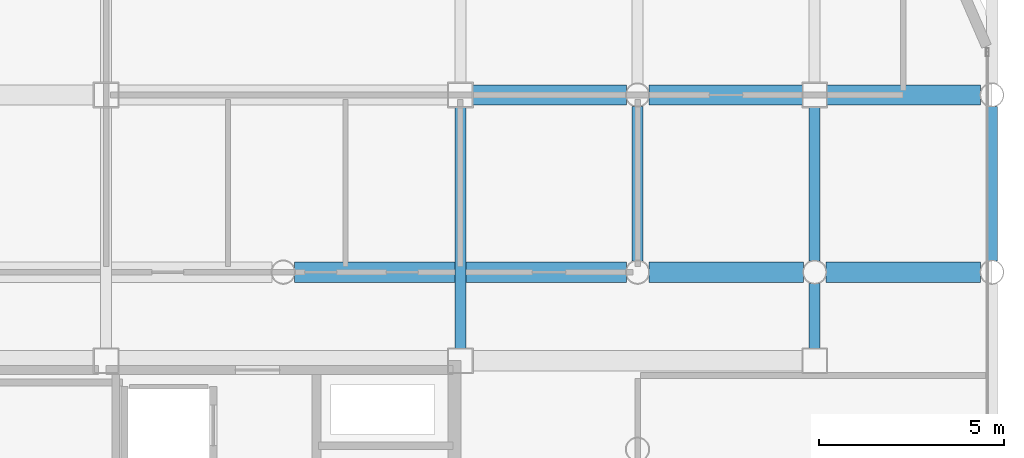
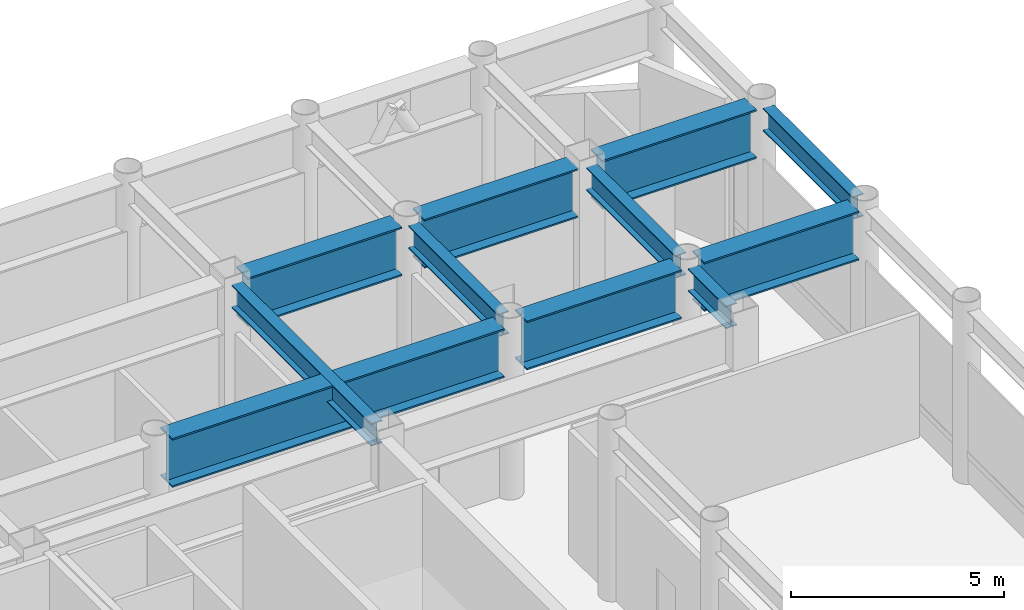
# One storey, part 13 of 20: 11 beams.
"""IFC4 building model written with IfcOpenShell, lengths in metres."""

from ifc_helpers import new_model, si_unit, direction, frame, origin, origin_2d, place, context, subcontext, project, spatial, i_section, extrude, material, material_profile, profile_set, type_object, element, save


model = new_model("IFC4")

# Units and contexts
model_context = context("Model", 3, precision=1e-05, world=origin(), true_north=direction((0.0, 1.0)))
body_context = subcontext(model_context, "Body", "Model", "MODEL_VIEW")
ifc_project = project(units=[si_unit("LENGTHUNIT", "METRE"), si_unit("AREAUNIT", "SQUARE_METRE"), si_unit("VOLUMEUNIT", "CUBIC_METRE"), si_unit("PLANEANGLEUNIT", "RADIAN"), si_unit("MASSUNIT", "GRAM", prefix="KILO")], contexts=[model_context])

# Site, building, storey
site_placement = place(None, origin())
site = spatial("IfcSite", under=ifc_project, at=site_placement, CompositionType="ELEMENT")
building_placement = place(site_placement, origin())
building = spatial("IfcBuilding", under=site, at=building_placement, Name="Kallvorn Hotel Tower", CompositionType="ELEMENT")
storey_placement = place(building_placement, frame((0.0, 0.0, 180.300048828125)))
storey = spatial("IfcBuildingStorey", under=building, at=storey_placement, Name="L45", CompositionType="ELEMENT", Elevation=180.300048828125)

# Beams
ifc_material_1 = material(Name="Structural steel S355JR", Category="steel")
ifc_material_profile_1 = material_profile(ifc_material_1, i_section(OverallWidth=0.300048828125, OverallDepth=0.64990234375, WebThickness=0.01611328125, FlangeThickness=0.031005859375, at=origin_2d()), Name="HE 650 B")
ifc_profile_set_1 = profile_set([ifc_material_profile_1], Name="Structural steel S355JR")
beam_type_1 = type_object("IfcBeamType", Name="BM_HE650B", PredefinedType="BEAM", material=ifc_profile_set_1)
beam_1_placement = place(storey_placement, frame((14.39990234375, 7.52490234375, 4.625), z_axis=(0.0, 1.0, 0.0), x_axis=(-1.0, 0.0, 0.0)))
element("IfcBeam", 1, at=beam_1_placement, inside=storey, type_object=beam_type_1, Name="L46 Primary Y-Girder 125", PredefinedType="BEAM", context=body_context, shape_type="SweptSolid", body=[
    extrude(i_section(OverallWidth=0.300048828125, OverallDepth=0.64990234375, WebThickness=0.01611328125, FlangeThickness=0.031005859375, at=origin_2d()), origin(), (0.0, 0.0, 1.0), 6.550048828125),
])
beam_2_placement = place(storey_placement, frame((19.199951171875, 9.905029296875, 4.625), z_axis=(0.0, 1.0, 0.0), x_axis=(-1.0, 0.0, 0.0)))
element("IfcBeam", 2, at=beam_2_placement, inside=storey, type_object=beam_type_1, Name="L46 Primary Y-Girder 134", PredefinedType="BEAM", context=body_context, shape_type="SweptSolid", body=[
    extrude(i_section(OverallWidth=0.300048828125, OverallDepth=0.64990234375, WebThickness=0.01611328125, FlangeThickness=0.031005859375, at=origin_2d()), origin(), (0.0, 0.0, 1.0), 4.18994140625),
])
beam_3_placement = place(storey_placement, frame((24.0, 7.52490234375, 4.625), z_axis=(0.0, 1.0, 0.0), x_axis=(-1.0, 0.0, 0.0)))
element("IfcBeam", 3, at=beam_3_placement, inside=storey, type_object=beam_type_1, Name="L46 Primary Y-Girder 140", PredefinedType="BEAM", context=body_context, shape_type="SweptSolid", body=[
    extrude(i_section(OverallWidth=0.300048828125, OverallDepth=0.64990234375, WebThickness=0.01611328125, FlangeThickness=0.031005859375, at=origin_2d()), origin(), (0.0, 0.0, 1.0), 1.77001953125),
])
beam_4_placement = place(storey_placement, frame((24.0, 9.905029296875, 4.625), z_axis=(0.0, 1.0, 0.0), x_axis=(-1.0, 0.0, 0.0)))
element("IfcBeam", 4, at=beam_4_placement, inside=storey, type_object=beam_type_1, Name="L46 Primary Y-Girder 141", PredefinedType="BEAM", context=body_context, shape_type="SweptSolid", body=[
    extrude(i_section(OverallWidth=0.300048828125, OverallDepth=0.64990234375, WebThickness=0.01611328125, FlangeThickness=0.031005859375, at=origin_2d()), origin(), (0.0, 0.0, 1.0), 4.169921875),
])
beam_5_placement = place(storey_placement, frame((28.800048828125, 9.905029296875, 4.625), z_axis=(0.0, 1.0, 0.0), x_axis=(-1.0, 0.0, 0.0)))
element("IfcBeam", 5, at=beam_5_placement, inside=storey, type_object=beam_type_1, Name="L46 Primary Y-Girder 149", PredefinedType="BEAM", context=body_context, shape_type="SweptSolid", body=[
    extrude(i_section(OverallWidth=0.300048828125, OverallDepth=0.64990234375, WebThickness=0.01611328125, FlangeThickness=0.031005859375, at=origin_2d()), origin(), (0.0, 0.0, 1.0), 4.18994140625),
])
ifc_material_2 = material(Name="Structural steel S355JR", Category="steel")
ifc_material_profile_2 = material_profile(ifc_material_2, i_section(OverallWidth=0.550048828125, OverallDepth=1.39990234375, WebThickness=0.02490234375, FlangeThickness=0.044921875, at=origin_2d()), Name="PG 1400x550x25x45")
ifc_profile_set_2 = profile_set([ifc_material_profile_2], Name="Structural steel S355JR")
beam_type_2 = type_object("IfcBeamType", Name="BM_PG_1400", PredefinedType="BEAM", material=ifc_profile_set_2)
beam_6_placement = place(storey_placement, frame((9.905029296875, 9.60009765625, 4.25), z_axis=(1.0, 0.0, 0.0), x_axis=(0.0, 1.0, 0.0)))
element("IfcBeam", 6, at=beam_6_placement, inside=storey, type_object=beam_type_2, Name="L46 Primary X-Girder 48", PredefinedType="BEAM", context=body_context, shape_type="SweptSolid", body=[
    extrude(i_section(OverallWidth=0.550048828125, OverallDepth=1.39990234375, WebThickness=0.02490234375, FlangeThickness=0.044921875, at=origin_2d()), origin(), (0.0, 0.0, 1.0), 8.989990234375),
])
for number, where, z_axis, x_axis, name in (
    (7, (19.5048828125, 9.60009765625, 4.25), (1.0, 0.0, 0.0), (0.0, 1.0, 0.0), "L46 Primary X-Girder 49"),
    (8, (24.304931640625, 9.60009765625, 4.25), (1.0, 0.0, 0.0), (0.0, 1.0, 0.0), "L46 Primary X-Girder 50"),
):
    element("IfcBeam", number, at=place(storey_placement, frame(where, z_axis=z_axis, x_axis=x_axis)), inside=storey, type_object=beam_type_2, Name=name, PredefinedType="BEAM", context=body_context, shape_type="SweptSolid", body=[
        extrude(i_section(OverallWidth=0.550048828125, OverallDepth=1.39990234375, WebThickness=0.02490234375, FlangeThickness=0.044921875, at=origin_2d()), origin(), (0.0, 0.0, 1.0), 4.190185546875),
    ])
beam_7_placement = place(storey_placement, frame((14.72509765625, 14.39990234375, 4.25), z_axis=(1.0, 0.0, 0.0), x_axis=(0.0, 1.0, 0.0)))
element("IfcBeam", 9, at=beam_7_placement, inside=storey, type_object=beam_type_2, Name="L46 Primary X-Girder 58", PredefinedType="BEAM", context=body_context, shape_type="SweptSolid", body=[
    extrude(i_section(OverallWidth=0.550048828125, OverallDepth=1.39990234375, WebThickness=0.02490234375, FlangeThickness=0.044921875, at=origin_2d()), origin(), (0.0, 0.0, 1.0), 4.169921875),
])
for number, where, z_axis, x_axis, name in (
    (10, (19.5048828125, 14.39990234375, 4.25), (1.0, 0.0, 0.0), (0.0, 1.0, 0.0), "L46 Primary X-Girder 59"),
    (11, (24.324951171875, 14.39990234375, 4.25), (1.0, 0.0, 0.0), (0.0, 1.0, 0.0), "L46 Primary X-Girder 60"),
):
    element("IfcBeam", number, at=place(storey_placement, frame(where, z_axis=z_axis, x_axis=x_axis)), inside=storey, type_object=beam_type_2, Name=name, PredefinedType="BEAM", context=body_context, shape_type="SweptSolid", body=[
        extrude(i_section(OverallWidth=0.550048828125, OverallDepth=1.39990234375, WebThickness=0.02490234375, FlangeThickness=0.044921875, at=origin_2d()), origin(), (0.0, 0.0, 1.0), 4.170166015625),
    ])

save(model, "model.ifc")
